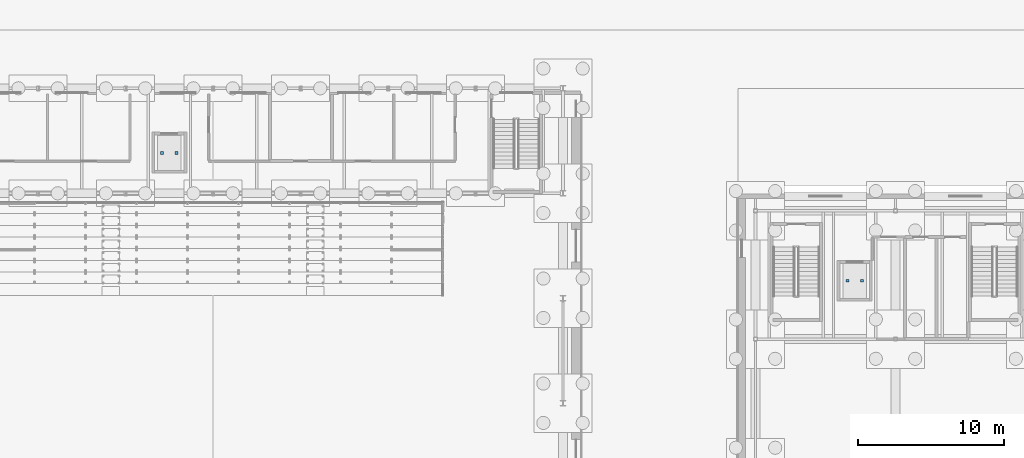
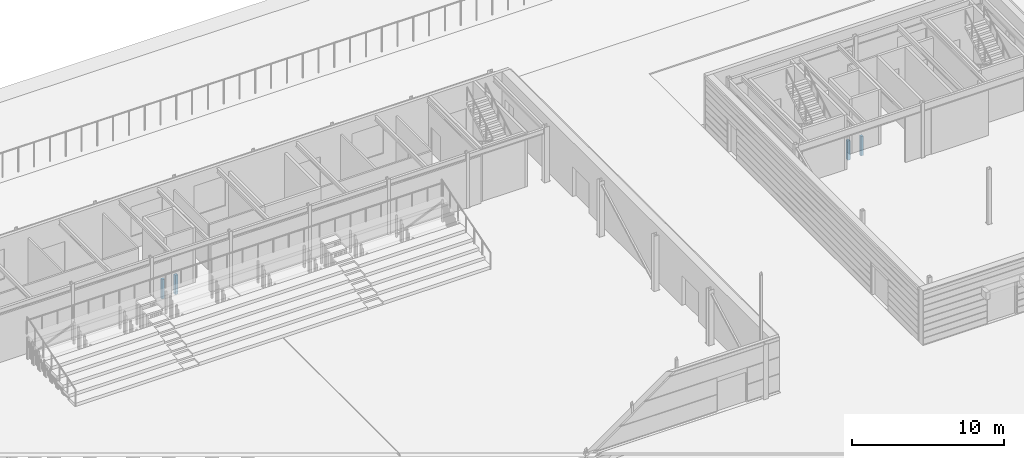
# One storey, part 95 of 139: 4 discrete accessories.
"""IFC4 building model written with IfcOpenShell, lengths in metres."""

from ifc_helpers import new_model, si_unit, direction, frame, origin, origin_2d, place, context, subcontext, project, spatial, rectangle, extrude, material, type_object, element, save


model = new_model("IFC4")

# Units and contexts
model_context = context("Model", 3, precision=1e-05, world=origin(), true_north=direction((0.0, 1.0)))
body_context = subcontext(model_context, "Body", "Model", "MODEL_VIEW")
ifc_project = project(units=[si_unit("LENGTHUNIT", "METRE"), si_unit("AREAUNIT", "SQUARE_METRE"), si_unit("VOLUMEUNIT", "CUBIC_METRE"), si_unit("PLANEANGLEUNIT", "RADIAN"), si_unit("MASSUNIT", "GRAM", prefix="KILO")], contexts=[model_context])

# Site, building, storey
site_placement = place(None, origin())
site = spatial("IfcSite", under=ifc_project, at=site_placement, CompositionType="ELEMENT")
building_placement = place(site_placement, origin())
building = spatial("IfcBuilding", under=site, at=building_placement, Name="Verrick Yard Athletic Hall", CompositionType="ELEMENT")
storey_placement = place(building_placement, origin())
storey = spatial("IfcBuildingStorey", under=building, at=storey_placement, Name="L00", CompositionType="ELEMENT", Elevation=0.0)

# Discrete accessories
ifc_material = material(Name="Stainless steel", Category="steel")
discrete_accessory_type = type_object("IfcDiscreteAccessoryType", Name="Lift buffer stand", PredefinedType="BRACKET", material=ifc_material)
for number, where, z_axis, x_axis, name in (
    (1, (48.5, 103.574951171875, -1.5), (0.0, 0.0, 1.0), (1.0, 0.0, 0.0), "Buffer stand Sports Hall B band 1"),
    (2, (49.5, 103.574951171875, -1.5), (0.0, 0.0, 1.0), (1.0, 0.0, 0.0), "Buffer stand Sports Hall B band 2"),
    (3, (95.5, 94.800048828125, -1.5), (0.0, 0.0, 1.0), (1.0, 0.0, 0.0), "Buffer stand Climbing hall 1"),
    (4, (96.5, 94.800048828125, -1.5), (0.0, 0.0, 1.0), (1.0, 0.0, 0.0), "Buffer stand Climbing hall 2"),
):
    element("IfcDiscreteAccessory", number, at=place(storey_placement, frame(where, z_axis=z_axis, x_axis=x_axis)), inside=storey, type_object=discrete_accessory_type, Name=name, PredefinedType="BRACKET", context=body_context, shape_type="SweptSolid", body=[
        extrude(rectangle(XDim=0.199951171875, YDim=0.199951171875, at=origin_2d()), origin(), (0.0, 0.0, 1.0), 1.550048828125),
    ])

save(model, "model.ifc")
